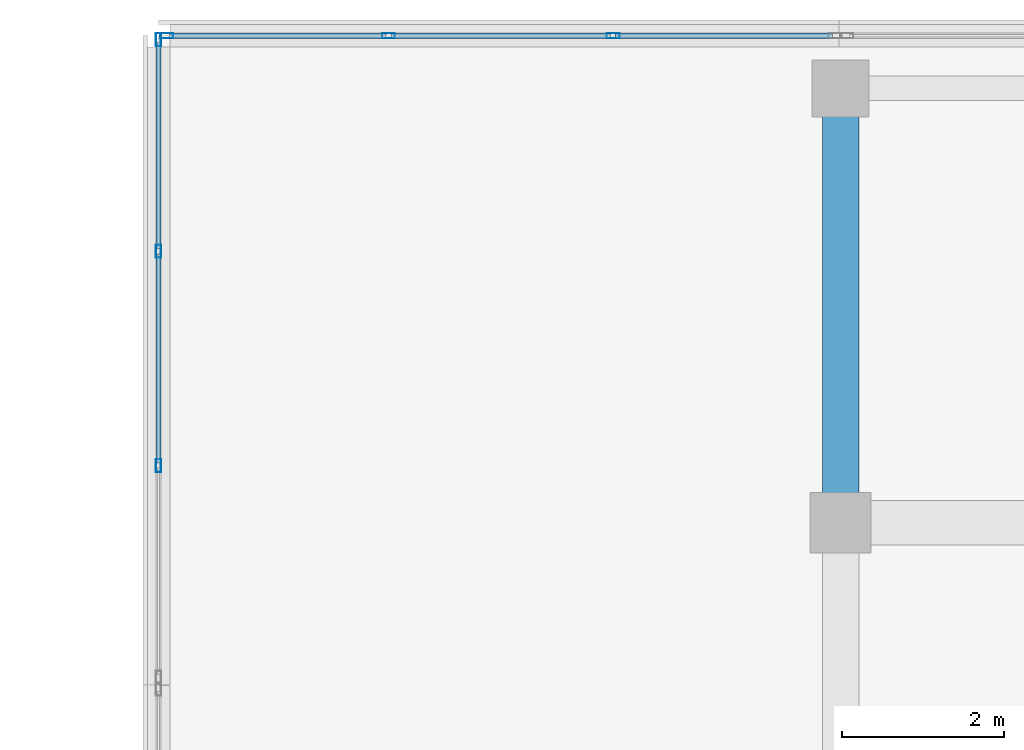
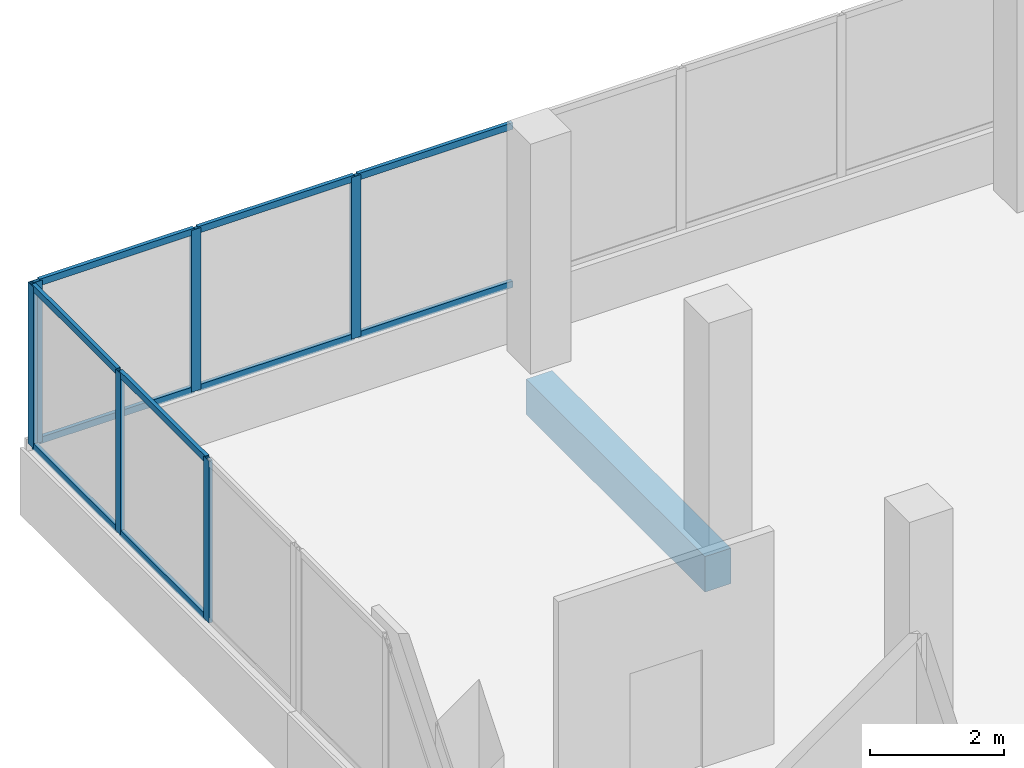
# One storey, part 92 of 184: 16 members, 1 beam, 2 elements without a shape of their own.
"""IFC4 building model written with IfcOpenShell, lengths in metres."""

from ifc_helpers import new_model, si_unit, direction, frame, origin, origin_2d, place, context, subcontext, project, spatial, rectangle, hollow_rectangle, extrude, material, material_profile, profile_set, type_object, element, aggregate, save


model = new_model("IFC4")

# Units and contexts
model_context = context("Model", 3, precision=1e-05, world=origin(), true_north=direction((0.0, 1.0)))
body_context = subcontext(model_context, "Body", "Model", "MODEL_VIEW")
ifc_project = project(units=[si_unit("LENGTHUNIT", "METRE"), si_unit("AREAUNIT", "SQUARE_METRE"), si_unit("VOLUMEUNIT", "CUBIC_METRE"), si_unit("PLANEANGLEUNIT", "RADIAN"), si_unit("MASSUNIT", "GRAM", prefix="KILO")], contexts=[model_context])

# Site, building, storey
site_placement = place(None, origin())
site = spatial("IfcSite", under=ifc_project, at=site_placement, CompositionType="ELEMENT")
building_placement = place(site_placement, origin())
building = spatial("IfcBuilding", under=site, at=building_placement, Name="Selatvlak General Hospital", CompositionType="ELEMENT")
storey_placement = place(building_placement, frame((0.0, 0.0, 15.0)))
storey = spatial("IfcBuildingStorey", under=building, at=storey_placement, Name="L03", CompositionType="ELEMENT", Elevation=15.0)

# Beam
ifc_material_1 = material(Name="Concrete C40/50", Category="concrete")
ifc_material_profile_1 = material_profile(ifc_material_1, rectangle(XDim=0.449951171875, YDim=0.64990234375, at=origin_2d()), Name="RC-BM 450x650")
ifc_profile_set_1 = profile_set([ifc_material_profile_1], Name="Concrete C40/50")
beam_type = type_object("IfcBeamType", Name="BM-G04", PredefinedType="BEAM", material=ifc_profile_set_1)
beam_placement = place(storey_placement, frame((22.800048828125, 114.0, -0.6650390625), z_axis=(0.0, 1.0, 0.0), x_axis=(-1.0, 0.0, 0.0)))
element("IfcBeam", 1, at=beam_placement, inside=storey, type_object=beam_type, Name="Beam BMR-L03-1300", PredefinedType="BEAM", context=body_context, shape_type="SweptSolid", body=[
    extrude(rectangle(XDim=0.449951171875, YDim=0.64990234375, at=origin_2d()), origin(), (0.0, 0.0, 1.0), 5.35009765625),
])

# Curtain wall, members
ifc_material_2 = material(Name="Solar-control Low-E double glazing", Category="glass")
curtain_wall_type_1 = type_object("IfcCurtainWallType", Name="CW-CW-02", PredefinedType="USERDEFINED", material=ifc_material_2)
curtain_wall_1_placement = place(storey_placement, origin())
curtain_wall_1 = element("IfcCurtainWall", 2, at=curtain_wall_1_placement, inside=storey, type_object=curtain_wall_type_1, Name="Glazed facade curtain wall CW-L03-0363", ObjectType="UNITISED CURTAIN WALL", PredefinedType="USERDEFINED")
ifc_material_3 = material(Name="Dark anodised aluminium mullion", Category="aluminium")
ifc_material_profile_2 = material_profile(ifc_material_3, hollow_rectangle(XDim=0.06494140625, YDim=0.159912109375, WallThickness=0.00390625, at=origin_2d()), Name="AL-MUL 65x160x4")
ifc_profile_set_2 = profile_set([ifc_material_profile_2], Name="Dark anodised aluminium mullion")
member_type_1 = type_object("IfcMemberType", Name="CWM-01", PredefinedType="MULLION", material=ifc_profile_set_2)
member_1_placement = place(storey_placement, frame((14.39990234375, 114.7041015625, 0.93994140625), z_axis=(0.0, 0.0, 1.0), x_axis=(-1.0, 0.0, 0.0)))
member_1 = element("IfcMember", 3, at=member_1_placement, type_object=member_type_1, Name="CW-02 mullion 2", PredefinedType="MULLION", context=body_context, shape_type="SweptSolid", body=[
    extrude(hollow_rectangle(XDim=0.06494140625, YDim=0.159912109375, WallThickness=0.00390625, at=origin_2d()), origin(), (0.0, 0.0, 1.0), 2.955078125),
])
member_2_placement = place(storey_placement, frame((14.39990234375, 117.343994140625, 0.93994140625), z_axis=(0.0, 0.0, 1.0), x_axis=(-1.0, 0.0, 0.0)))
member_2 = element("IfcMember", 4, at=member_2_placement, type_object=member_type_1, Name="CW-02 mullion 3", PredefinedType="MULLION", context=body_context, shape_type="SweptSolid", body=[
    extrude(hollow_rectangle(XDim=0.06494140625, YDim=0.159912109375, WallThickness=0.00390625, at=origin_2d()), origin(), (0.0, 0.0, 1.0), 2.955078125),
])
member_3_placement = place(storey_placement, frame((14.39990234375, 119.951416015625, 0.93994140625), z_axis=(0.0, 0.0, 1.0), x_axis=(-1.0, 0.0, 0.0)))
member_3 = element("IfcMember", 5, at=member_3_placement, type_object=member_type_1, Name="CW-02 mullion 4", PredefinedType="MULLION", context=body_context, shape_type="SweptSolid", body=[
    extrude(hollow_rectangle(XDim=0.06494140625, YDim=0.159912109375, WallThickness=0.00390625, at=origin_2d()), origin(), (0.0, 0.0, 1.0), 2.955078125),
])

curtain_wall_type_2 = type_object("IfcCurtainWallType", Name="CW-CW-01", PredefinedType="USERDEFINED", material=ifc_material_2)
curtain_wall_2_placement = place(storey_placement, origin())
curtain_wall_2 = element("IfcCurtainWall", 6, at=curtain_wall_2_placement, inside=storey, type_object=curtain_wall_type_2, Name="Glazed facade curtain wall CW-L03-0364", ObjectType="UNITISED CURTAIN WALL", PredefinedType="USERDEFINED")
member_4_placement = place(storey_placement, frame((14.49755859375, 119.9990234375, 0.93994140625), z_axis=(0.0, 0.0, 1.0), x_axis=(0.0, 1.0, 0.0)))
member_4 = element("IfcMember", 7, at=member_4_placement, type_object=member_type_1, Name="CW-01 mullion 1", PredefinedType="MULLION", context=body_context, shape_type="SweptSolid", body=[
    extrude(hollow_rectangle(XDim=0.06494140625, YDim=0.159912109375, WallThickness=0.00390625, at=origin_2d()), origin(), (0.0, 0.0, 1.0), 2.955078125),
])
member_5_placement = place(storey_placement, frame((17.231689453125, 119.9990234375, 0.93994140625), z_axis=(0.0, 0.0, 1.0), x_axis=(0.0, 1.0, 0.0)))
member_5 = element("IfcMember", 8, at=member_5_placement, type_object=member_type_1, Name="CW-01 mullion 2", PredefinedType="MULLION", context=body_context, shape_type="SweptSolid", body=[
    extrude(hollow_rectangle(XDim=0.06494140625, YDim=0.159912109375, WallThickness=0.00390625, at=origin_2d()), origin(), (0.0, 0.0, 1.0), 2.955078125),
])
member_6_placement = place(storey_placement, frame((19.998291015625, 119.9990234375, 0.93994140625), z_axis=(0.0, 0.0, 1.0), x_axis=(0.0, 1.0, 0.0)))
member_6 = element("IfcMember", 9, at=member_6_placement, type_object=member_type_1, Name="CW-01 mullion 3", PredefinedType="MULLION", context=body_context, shape_type="SweptSolid", body=[
    extrude(hollow_rectangle(XDim=0.06494140625, YDim=0.159912109375, WallThickness=0.00390625, at=origin_2d()), origin(), (0.0, 0.0, 1.0), 2.955078125),
])

# Member
ifc_material_profile_3 = material_profile(ifc_material_3, hollow_rectangle(XDim=0.06494140625, YDim=0.1201171875, WallThickness=0.00390625, at=origin_2d()), Name="AL-TRN 65x120x4")
ifc_profile_set_3 = profile_set([ifc_material_profile_3], Name="Dark anodised aluminium mullion")
member_type_2 = type_object("IfcMemberType", Name="CWT-01", PredefinedType="USERDEFINED", material=ifc_profile_set_3)
member_7_placement = place(storey_placement, frame((14.39990234375, 114.736572265625, 0.972412109375), z_axis=(0.0, 1.0, 0.0), x_axis=(-1.0, 0.0, 0.0)))
member_7 = element("IfcMember", 10, at=member_7_placement, type_object=member_type_2, Name="CW-02 transom 2.1", ObjectType="TRANSOM", PredefinedType="USERDEFINED", context=body_context, shape_type="SweptSolid", body=[
    extrude(hollow_rectangle(XDim=0.06494140625, YDim=0.1201171875, WallThickness=0.00390625, at=origin_2d()), origin(), (0.0, 0.0, 1.0), 2.574951171875),
])

member_8_placement = place(storey_placement, frame((14.39990234375, 114.736572265625, 3.862548828125), z_axis=(0.0, 1.0, 0.0), x_axis=(-1.0, 0.0, 0.0)))
member_8 = element("IfcMember", 11, at=member_8_placement, type_object=member_type_2, Name="CW-02 transom 2.2", ObjectType="TRANSOM", PredefinedType="USERDEFINED", context=body_context, shape_type="SweptSolid", body=[
    extrude(hollow_rectangle(XDim=0.06494140625, YDim=0.1201171875, WallThickness=0.00390625, at=origin_2d()), origin(), (0.0, 0.0, 1.0), 2.574951171875),
])

member_9_placement = place(storey_placement, frame((14.39990234375, 117.37646484375, 0.972412109375), z_axis=(0.0, 1.0, 0.0), x_axis=(-1.0, 0.0, 0.0)))
member_9 = element("IfcMember", 12, at=member_9_placement, type_object=member_type_2, Name="CW-02 transom 3.1", ObjectType="TRANSOM", PredefinedType="USERDEFINED", context=body_context, shape_type="SweptSolid", body=[
    extrude(hollow_rectangle(XDim=0.06494140625, YDim=0.1201171875, WallThickness=0.00390625, at=origin_2d()), origin(), (0.0, 0.0, 1.0), 2.54248046875),
])

member_10_placement = place(storey_placement, frame((14.39990234375, 117.37646484375, 3.862548828125), z_axis=(0.0, 1.0, 0.0), x_axis=(-1.0, 0.0, 0.0)))
member_10 = element("IfcMember", 13, at=member_10_placement, type_object=member_type_2, Name="CW-02 transom 3.2", ObjectType="TRANSOM", PredefinedType="USERDEFINED", context=body_context, shape_type="SweptSolid", body=[
    extrude(hollow_rectangle(XDim=0.06494140625, YDim=0.1201171875, WallThickness=0.00390625, at=origin_2d()), origin(), (0.0, 0.0, 1.0), 2.54248046875),
])

aggregate(curtain_wall_1, [member_1, member_2, member_3, member_7, member_8, member_9, member_10])

member_11_placement = place(storey_placement, frame((14.530029296875, 119.9990234375, 0.972412109375), z_axis=(1.0, 0.0, 0.0), x_axis=(0.0, 1.0, 0.0)))
member_11 = element("IfcMember", 14, at=member_11_placement, type_object=member_type_2, Name="CW-01 transom 1.1", ObjectType="TRANSOM", PredefinedType="USERDEFINED", context=body_context, shape_type="SweptSolid", body=[
    extrude(hollow_rectangle(XDim=0.06494140625, YDim=0.1201171875, WallThickness=0.00390625, at=origin_2d()), origin(), (0.0, 0.0, 1.0), 2.669189453125),
])

member_12_placement = place(storey_placement, frame((14.530029296875, 119.9990234375, 3.862548828125), z_axis=(1.0, 0.0, 0.0), x_axis=(0.0, 1.0, 0.0)))
member_12 = element("IfcMember", 15, at=member_12_placement, type_object=member_type_2, Name="CW-01 transom 1.2", ObjectType="TRANSOM", PredefinedType="USERDEFINED", context=body_context, shape_type="SweptSolid", body=[
    extrude(hollow_rectangle(XDim=0.06494140625, YDim=0.1201171875, WallThickness=0.00390625, at=origin_2d()), origin(), (0.0, 0.0, 1.0), 2.669189453125),
])

member_13_placement = place(storey_placement, frame((17.26416015625, 119.9990234375, 0.972412109375), z_axis=(1.0, 0.0, 0.0), x_axis=(0.0, 1.0, 0.0)))
member_13 = element("IfcMember", 16, at=member_13_placement, type_object=member_type_2, Name="CW-01 transom 2.1", ObjectType="TRANSOM", PredefinedType="USERDEFINED", context=body_context, shape_type="SweptSolid", body=[
    extrude(hollow_rectangle(XDim=0.06494140625, YDim=0.1201171875, WallThickness=0.00390625, at=origin_2d()), origin(), (0.0, 0.0, 1.0), 2.70166015625),
])

member_14_placement = place(storey_placement, frame((17.26416015625, 119.9990234375, 3.862548828125), z_axis=(1.0, 0.0, 0.0), x_axis=(0.0, 1.0, 0.0)))
member_14 = element("IfcMember", 17, at=member_14_placement, type_object=member_type_2, Name="CW-01 transom 2.2", ObjectType="TRANSOM", PredefinedType="USERDEFINED", context=body_context, shape_type="SweptSolid", body=[
    extrude(hollow_rectangle(XDim=0.06494140625, YDim=0.1201171875, WallThickness=0.00390625, at=origin_2d()), origin(), (0.0, 0.0, 1.0), 2.70166015625),
])

member_15_placement = place(storey_placement, frame((20.03076171875, 119.9990234375, 0.972412109375), z_axis=(1.0, 0.0, 0.0), x_axis=(0.0, 1.0, 0.0)))
member_15 = element("IfcMember", 18, at=member_15_placement, type_object=member_type_2, Name="CW-01 transom 3.1", ObjectType="TRANSOM", PredefinedType="USERDEFINED", context=body_context, shape_type="SweptSolid", body=[
    extrude(hollow_rectangle(XDim=0.06494140625, YDim=0.1201171875, WallThickness=0.00390625, at=origin_2d()), origin(), (0.0, 0.0, 1.0), 2.669189453125),
])

member_16_placement = place(storey_placement, frame((20.03076171875, 119.9990234375, 3.862548828125), z_axis=(1.0, 0.0, 0.0), x_axis=(0.0, 1.0, 0.0)))
member_16 = element("IfcMember", 19, at=member_16_placement, type_object=member_type_2, Name="CW-01 transom 3.2", ObjectType="TRANSOM", PredefinedType="USERDEFINED", context=body_context, shape_type="SweptSolid", body=[
    extrude(hollow_rectangle(XDim=0.06494140625, YDim=0.1201171875, WallThickness=0.00390625, at=origin_2d()), origin(), (0.0, 0.0, 1.0), 2.669189453125),
])

aggregate(curtain_wall_2, [member_4, member_5, member_6, member_11, member_12, member_13, member_14, member_15, member_16])

save(model, "model.ifc")
